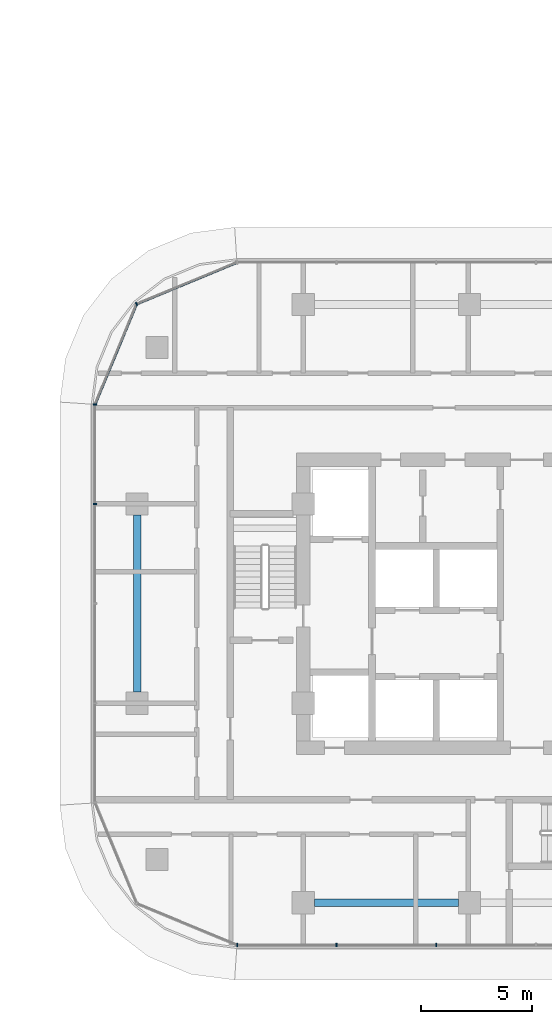
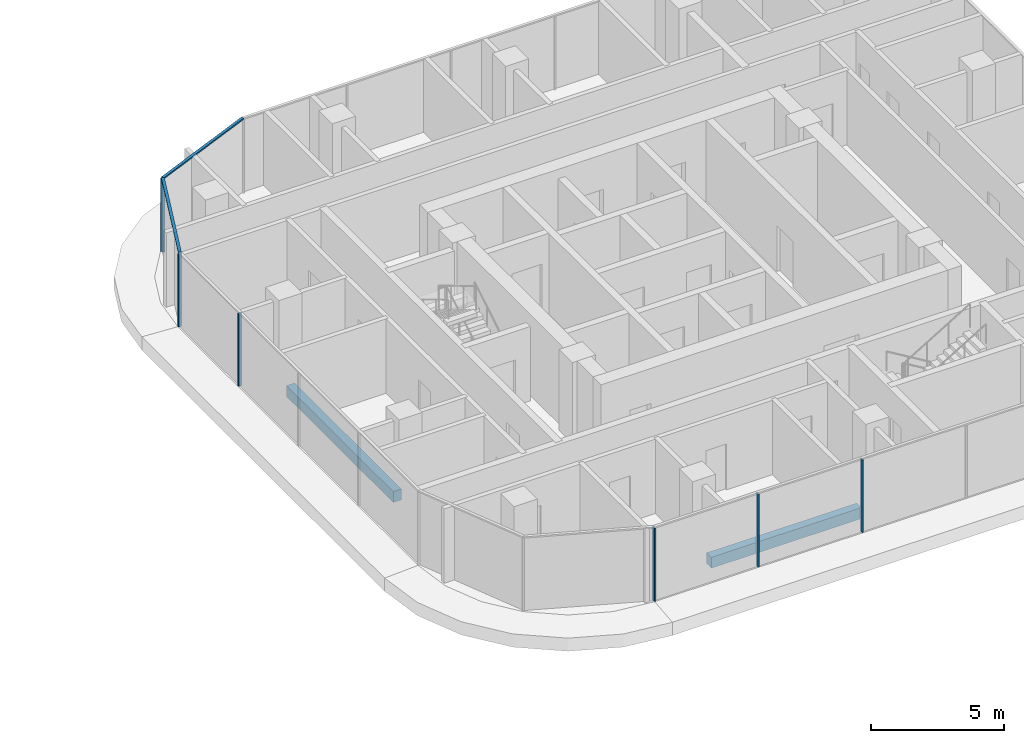
# One storey, part 11 of 36: 8 members, 2 beams, 3 elements without a shape of their own.
"""IFC4 building model written with IfcOpenShell, lengths in metres."""

from ifc_helpers import new_model, si_unit, direction, frame, origin, origin_2d, place, context, subcontext, project, spatial, rectangle, extrude, material, material_profile, profile_set, type_object, element, aggregate, save


model = new_model("IFC4")

# Units and contexts
model_context = context("Model", 3, precision=1e-05, world=origin(), true_north=direction((0.0, 1.0)))
body_context = subcontext(model_context, "Body", "Model", "MODEL_VIEW")
ifc_project = project(units=[si_unit("LENGTHUNIT", "METRE"), si_unit("AREAUNIT", "SQUARE_METRE"), si_unit("VOLUMEUNIT", "CUBIC_METRE"), si_unit("PLANEANGLEUNIT", "RADIAN"), si_unit("MASSUNIT", "GRAM", prefix="KILO")], contexts=[model_context])

# Site, building, storey
site_placement = place(None, origin())
site = spatial("IfcSite", under=ifc_project, at=site_placement, CompositionType="ELEMENT")
building_placement = place(site_placement, origin())
building = spatial("IfcBuilding", under=site, at=building_placement, Name="Ogive Portal Towers", CompositionType="ELEMENT")
storey_placement = place(building_placement, frame((0.0, 0.0, 52.0)))
storey = spatial("IfcBuildingStorey", under=building, at=storey_placement, Name="L11", CompositionType="ELEMENT", Elevation=52.0)

# Curtain wall, members
ifc_material_1 = material(Name="Glass, clear low-iron insulated glazing", Category="glass")
curtain_wall_type = type_object("IfcCurtainWallType", Name="CW RESIDENCES RIBBON", PredefinedType="NOTDEFINED", material=ifc_material_1)
curtain_wall_1_placement = place(storey_placement, origin())
curtain_wall_1 = element("IfcCurtainWall", 1, at=curtain_wall_1_placement, inside=storey, type_object=curtain_wall_type, Name="B:L11:f02:cw0", PredefinedType="NOTDEFINED")
ifc_material_2 = material(Name="Aluminium 6063 anodised", Category="aluminium")
ifc_material_profile_1 = material_profile(ifc_material_2, rectangle(XDim=0.159912109375, YDim=0.06005859375, at=origin_2d()), Name="AL 60x160")
ifc_profile_set_1 = profile_set([ifc_material_profile_1], Name="Aluminium 6063 anodised")
member_type_1 = type_object("IfcMemberType", Name="CW MULLION 60x160", PredefinedType="MULLION", material=ifc_profile_set_1)
member_1_placement = place(storey_placement, frame((126.015869140625, 15.590087890625, 0.0), z_axis=(0.0, 0.0, 1.0), x_axis=(0.0, 1.0, 0.0)))
member_1 = element("IfcMember", 2, at=member_1_placement, type_object=member_type_1, Name="mullion", PredefinedType="MULLION", context=body_context, shape_type="SweptSolid", body=[
    extrude(rectangle(XDim=0.159912109375, YDim=0.06005859375, at=origin_2d()), origin(), (0.0, 0.0, 1.0), 3.340087890625),
])
member_2_placement = place(storey_placement, frame((130.5, 15.590087890625, 0.0), z_axis=(0.0, 0.0, 1.0), x_axis=(0.0, 1.0, 0.0)))
member_2 = element("IfcMember", 3, at=member_2_placement, type_object=member_type_1, Name="mullion", PredefinedType="MULLION", context=body_context, shape_type="SweptSolid", body=[
    extrude(rectangle(XDim=0.159912109375, YDim=0.06005859375, at=origin_2d()), origin(), (0.0, 0.0, 1.0), 3.340087890625),
])
member_3_placement = place(storey_placement, frame((135.0, 15.590087890625, 0.0), z_axis=(0.0, 0.0, 1.0), x_axis=(0.0, 1.0, 0.0)))
member_3 = element("IfcMember", 4, at=member_3_placement, type_object=member_type_1, Name="mullion", PredefinedType="MULLION", context=body_context, shape_type="SweptSolid", body=[
    extrude(rectangle(XDim=0.159912109375, YDim=0.06005859375, at=origin_2d()), origin(), (0.0, 0.0, 1.0), 3.340087890625),
])
aggregate(curtain_wall_1, [member_1, member_2, member_3])

curtain_wall_2_placement = place(storey_placement, origin())
curtain_wall_2 = element("IfcCurtainWall", 5, at=curtain_wall_2_placement, inside=storey, type_object=curtain_wall_type, Name="B:L11:f11:cw0", PredefinedType="NOTDEFINED")
member_4_placement = place(storey_placement, frame((119.590087890625, 39.984130859375, 0.0), z_axis=(0.0, 0.0, 1.0), x_axis=(1.0, 0.0, 0.0)))
member_4 = element("IfcMember", 6, at=member_4_placement, type_object=member_type_1, Name="mullion", PredefinedType="MULLION", context=body_context, shape_type="SweptSolid", body=[
    extrude(rectangle(XDim=0.159912109375, YDim=0.06005859375, at=origin_2d()), origin(), (0.0, 0.0, 1.0), 3.340087890625),
])
member_5_placement = place(storey_placement, frame((119.590087890625, 35.5, 0.0), z_axis=(0.0, 0.0, 1.0), x_axis=(1.0, 0.0, 0.0)))
member_5 = element("IfcMember", 7, at=member_5_placement, type_object=member_type_1, Name="mullion", PredefinedType="MULLION", context=body_context, shape_type="SweptSolid", body=[
    extrude(rectangle(XDim=0.159912109375, YDim=0.06005859375, at=origin_2d()), origin(), (0.0, 0.0, 1.0), 3.340087890625),
])
aggregate(curtain_wall_2, [member_4, member_5])

curtain_wall_3_placement = place(storey_placement, origin())
curtain_wall_3 = element("IfcCurtainWall", 8, at=curtain_wall_3_placement, inside=storey, type_object=curtain_wall_type, Name="B:L11:f09:cwa", PredefinedType="NOTDEFINED")
member_6_placement = place(storey_placement, frame((121.47216796875, 44.52783203125, 0.0), z_axis=(0.0, 0.0, 1.0), x_axis=(0.382683432365, -0.923879532511, 0.0)))
member_6 = element("IfcMember", 9, at=member_6_placement, type_object=member_type_1, Name="mullion", PredefinedType="MULLION", context=body_context, shape_type="SweptSolid", body=[
    extrude(rectangle(XDim=0.159912109375, YDim=0.06005859375, at=origin_2d()), origin(), (0.0, 0.0, 1.0), 3.340087890625),
])
ifc_material_profile_2 = material_profile(ifc_material_2, rectangle(XDim=0.1201171875, YDim=0.06005859375, at=origin_2d()), Name="AL 120x60")
ifc_profile_set_2 = profile_set([ifc_material_profile_2], Name="Aluminium 6063 anodised")
member_type_2 = type_object("IfcMemberType", Name="CW TRANSOM 60x120", PredefinedType="USERDEFINED", material=ifc_profile_set_2)
member_7_placement = place(storey_placement, frame((126.015869140625, 46.409912109375, 3.3701171875), z_axis=(-0.923878279534, -0.382686457306, 0.0), x_axis=(0.382686457306, -0.923878279534, 0.0)))
member_7 = element("IfcMember", 10, at=member_7_placement, type_object=member_type_2, Name="transom", ObjectType="TRANSOM", PredefinedType="USERDEFINED", context=body_context, shape_type="SweptSolid", body=[
    extrude(rectangle(XDim=0.1201171875, YDim=0.06005859375, at=origin_2d()), origin(), (0.0, 0.0, 1.0), 4.91796875),
])
member_8_placement = place(storey_placement, frame((121.47216796875, 44.52783203125, 3.3701171875), z_axis=(-0.382686457306, -0.923878279534, 0.0), x_axis=(0.923878279534, -0.382686457306, 0.0)))
member_8 = element("IfcMember", 11, at=member_8_placement, type_object=member_type_2, Name="transom", ObjectType="TRANSOM", PredefinedType="USERDEFINED", context=body_context, shape_type="SweptSolid", body=[
    extrude(rectangle(XDim=0.1201171875, YDim=0.06005859375, at=origin_2d()), origin(), (0.0, 0.0, 1.0), 4.91796875),
])
aggregate(curtain_wall_3, [member_7, member_8, member_6])

# Beams
ifc_material_3 = material(Name="Concrete C50/60", Category="concrete")
ifc_material_profile_3 = material_profile(ifc_material_3, rectangle(XDim=0.35009765625, YDim=0.5, at=origin_2d()), Name="RC 350x500")
ifc_profile_set_3 = profile_set([ifc_material_profile_3], Name="Concrete C50/60")
beam_type = type_object("IfcBeamType", Name="SPANDREL BEAM RC 350x500", PredefinedType="BEAM", material=ifc_profile_set_3)
beam_1_placement = place(storey_placement, frame((129.5, 17.5, -0.550048828125), z_axis=(1.0, 0.0, 0.0), x_axis=(0.0, 1.0, 0.0)))
element("IfcBeam", 12, at=beam_1_placement, inside=storey, type_object=beam_type, Name="Spandrel beam L11", PredefinedType="BEAM", context=body_context, shape_type="SweptSolid", body=[
    extrude(rectangle(XDim=0.35009765625, YDim=0.5, at=origin_2d()), origin(), (0.0, 0.0, 1.0), 6.5),
])
beam_2_placement = place(storey_placement, frame((121.5, 35.0, -0.550048828125), z_axis=(0.0, -1.0, 0.0), x_axis=(1.0, 0.0, 0.0)))
element("IfcBeam", 13, at=beam_2_placement, inside=storey, type_object=beam_type, Name="Spandrel beam L11", PredefinedType="BEAM", context=body_context, shape_type="SweptSolid", body=[
    extrude(rectangle(XDim=0.35009765625, YDim=0.5, at=origin_2d()), origin(), (0.0, 0.0, 1.0), 8.0),
])

save(model, "model.ifc")
